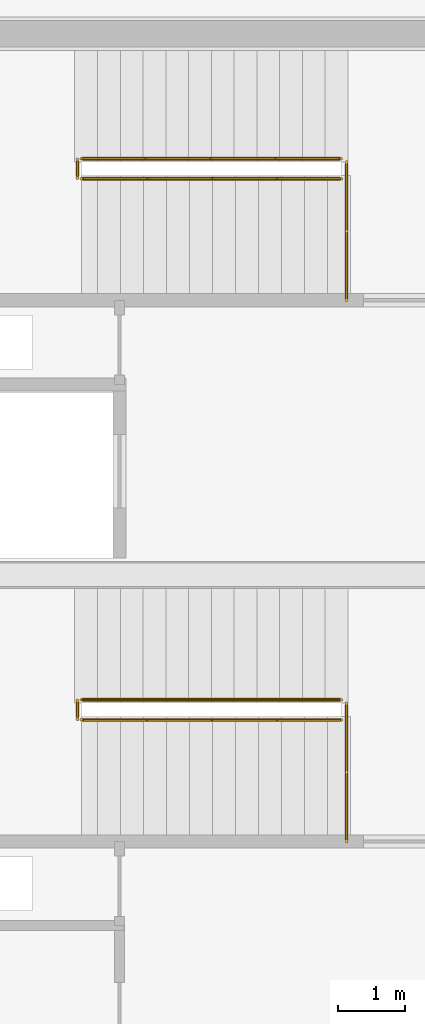
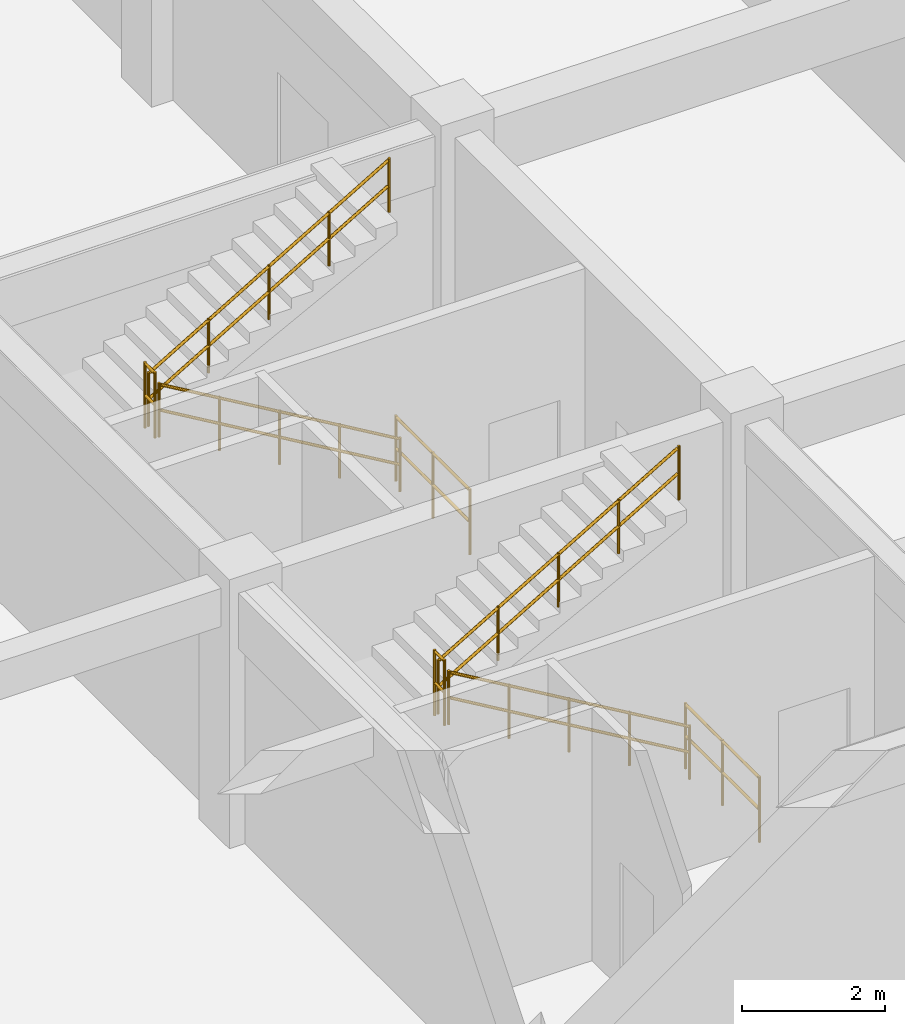
# One storey, part 91 of 93: 8 railings.
"""IFC4 building model written with IfcOpenShell, lengths in metres."""

import ifcopenshell
import ifcopenshell.guid

model = None  # the IFC model being written
_history = None  # IfcOwnerHistory: only IFC2X3 demands one
_inside = {}  # id of a spatial element -> (the spatial element, [elements in it])
_under = {}  # id of a project, library or spatial element -> (it, [spatial elements below it])
_declared = {}  # id of a project -> (the project, [libraries it declares])
_typed = {}  # id of a type object -> (the type object, [elements of that type])
_made_of = {}  # id of a material, layer set ... -> (it, [elements and type objects made of it])


def new_model(schema):
    """Start an empty IFC model of exactly this schema.

    Asked for "IFC4X3", IfcOpenShell would pick the latest addendum, in which some entities
    have other attributes; the version numbers below select the first issue.
    IFC2X3 requires an IfcOwnerHistory on every rooted entity: one is made here for all.
    """
    global model, _history
    if schema == "IFC4X3":
        model = ifcopenshell.file(schema_version=(4, 3, 0, 0))
    else:
        model = ifcopenshell.file(schema=schema)
    _inside.clear()
    _under.clear()
    _declared.clear()
    _typed.clear()
    _made_of.clear()
    _history = None
    if model.schema == "IFC2X3":
        org = make("IfcOrganization", Name="unknown")
        user = make(
            "IfcPersonAndOrganization",
            ThePerson=make("IfcPerson", FamilyName="unknown"),
            TheOrganization=org,
        )
        app = make(
            "IfcApplication",
            ApplicationDeveloper=org,
            Version="unknown",
            ApplicationFullName="unknown",
            ApplicationIdentifier="unknown",
        )
        _history = make(
            "IfcOwnerHistory",
            OwningUser=user,
            OwningApplication=app,
            ChangeAction="ADDED",
            CreationDate=0,
        )
    return model


def make(cls, **values):
    """One entity of the class cls with the attributes given. An attribute that is None is left unset."""
    return model.create_entity(
        cls, **{name: value for name, value in values.items() if value is not None}
    )


def rooted(cls, **values):
    """An entity with a GlobalId (a new one), such as an element, a storey or a relation."""
    return make(cls, GlobalId=ifcopenshell.guid.new(), OwnerHistory=_history, **values)


def si_unit(unit_type, name, prefix=None):
    """IfcSIUnit, for example si_unit("LENGTHUNIT", "METRE", prefix="MILLI")."""
    return make("IfcSIUnit", UnitType=unit_type, Prefix=prefix, Name=name)


def assignment(units):
    """IfcUnitAssignment: the units of a project."""
    return None if units is None else make("IfcUnitAssignment", Units=units)


def point(xyz):
    """IfcCartesianPoint."""
    return None if xyz is None else make("IfcCartesianPoint", Coordinates=xyz)


def direction(xyz):
    """IfcDirection."""
    return None if xyz is None else make("IfcDirection", DirectionRatios=xyz)


def frame(location, z_axis=None, x_axis=None):
    """IfcAxis2Placement3D, a coordinate frame: its origin and axes. An axis left out is left unset."""
    return make(
        "IfcAxis2Placement3D",
        Location=point(location),
        Axis=direction(z_axis),
        RefDirection=direction(x_axis),
    )


def frame_2d(location, x_axis=None):
    """IfcAxis2Placement2D, a coordinate frame in the plane: its origin and x axis."""
    return make(
        "IfcAxis2Placement2D", Location=point(location), RefDirection=direction(x_axis)
    )


def origin():
    """The frame at (0, 0, 0) with its axes left unset."""
    return frame((0.0, 0.0, 0.0))


def origin_2d():
    """The frame at (0, 0) in the plane with its x axis left unset."""
    return frame_2d((0.0, 0.0))


def place(relative_to, where):
    """IfcLocalPlacement: puts the frame where relative to a parent placement (None: the world)."""
    return make(
        "IfcLocalPlacement", PlacementRelTo=relative_to, RelativePlacement=where
    )


def context(
    kind, dimensions, precision=None, world=None, true_north=None, identifier=None
):
    """IfcGeometricRepresentationContext, for example the 3D "Model" context."""
    return make(
        "IfcGeometricRepresentationContext",
        ContextIdentifier=identifier,
        ContextType=kind,
        CoordinateSpaceDimension=dimensions,
        Precision=precision,
        WorldCoordinateSystem=world,
        TrueNorth=true_north,
    )


def subcontext(parent, identifier, kind, view, scale=None):
    """IfcGeometricRepresentationSubContext, for example "Body" below "Model"."""
    return make(
        "IfcGeometricRepresentationSubContext",
        ContextIdentifier=identifier,
        ContextType=kind,
        ParentContext=parent,
        TargetScale=scale,
        TargetView=view,
    )


def project(units=None, contexts=None):
    """IfcProject with its units and contexts."""
    return rooted(
        "IfcProject",
        Name="project",
        RepresentationContexts=contexts,
        UnitsInContext=assignment(units),
    )


def spatial(cls, under=None, at=None, **own):
    """A site, building, storey or space (cls), placed at a placement, below another one or the project."""
    s = rooted(cls, ObjectPlacement=at, **own)
    if under is not None:
        _under.setdefault(under.id(), (under, []))[1].append(s)
    return s


def profile(cls, at=None, kind="AREA", **sizes):
    """A parametric profile (cls). Its sizes go by their IFC names, for example OverallWidth=200.0."""
    return make(cls, ProfileType=kind, Position=at, **sizes)


def circle(**sizes):
    """IfcCircleProfileDef."""
    return profile("IfcCircleProfileDef", **sizes)


def extrude(swept, where, along, depth):
    """IfcExtrudedAreaSolid: the profile swept, set in the frame where, extruded along a direction by depth."""
    return make(
        "IfcExtrudedAreaSolid",
        SweptArea=swept,
        Position=where,
        ExtrudedDirection=direction(along),
        Depth=depth,
    )


def shape(context_of_items, identifier, shape_type, items):
    """IfcShapeRepresentation: the items that make up one representation, for example the "Body"."""
    return make(
        "IfcShapeRepresentation",
        ContextOfItems=context_of_items,
        RepresentationIdentifier=identifier,
        RepresentationType=shape_type,
        Items=items,
    )


def material(Name=None, Category=None):
    """IfcMaterial."""
    return make("IfcMaterial", Name=Name, Category=Category)


def made_of(thing, what):
    """Note that an element or type object is made of a material, layer set ...; save() writes the relation."""
    if what is not None:
        _made_of.setdefault(what.id(), (what, []))[1].append(thing)
    return thing


def type_object(cls, material=None, **own):
    """A type object (cls), such as IfcWallType, which elements share."""
    return made_of(rooted(cls, **own), material)


def element(
    cls,
    number,
    at=None,
    inside=None,
    cuts=None,
    type_object=None,
    material=None,
    context=None,
    identifier="Body",
    shape_type=None,
    held_by="IfcProductDefinitionShape",
    body=None,
    shapes=None,
    **own,
):
    """One element of the class cls, such as IfcWall. Its Tag is "e" and its number.

    at: its placement. inside: the storey or other place that contains it. cuts: it is an
    opening in that element (IfcRelVoidsElement). A single representation is given by context,
    identifier, shape_type and body (its items); several are given by shapes. held_by: the class
    of the entity that holds the representations. save() writes the other relations.
    """
    e = rooted(cls, Tag="e%d" % number, ObjectPlacement=at, **own)
    if body is not None:
        shapes = [shape(context, identifier, shape_type, body)]
    if shapes is not None:
        e.Representation = make(held_by, Representations=shapes)
    if inside is not None:
        _inside.setdefault(inside.id(), (inside, []))[1].append(e)
    if cuts is not None:
        rooted(
            "IfcRelVoidsElement", RelatingBuildingElement=cuts, RelatedOpeningElement=e
        )
    if type_object is not None:
        _typed.setdefault(type_object.id(), (type_object, []))[1].append(e)
    return made_of(e, material)


def aggregate(whole, parts):
    """IfcRelAggregates: a whole, such as a stair, and the parts it consists of."""
    return rooted("IfcRelAggregates", RelatingObject=whole, RelatedObjects=parts)


def save(model, path):
    """Write the relations noted so far, then the file.

    IfcRelAggregates (storeys below a building ...), IfcRelContainedInSpatialStructure (elements
    in a storey), IfcRelDefinesByType, IfcRelAssociatesMaterial and IfcRelDeclares: one each for
    every whole, place, type object, material and project.
    """
    for whole, parts in _under.values():
        aggregate(whole, parts)
    for where, things in _inside.values():
        rooted(
            "IfcRelContainedInSpatialStructure",
            RelatedElements=things,
            RelatingStructure=where,
        )
    for kind, things in _typed.values():
        rooted("IfcRelDefinesByType", RelatedObjects=things, RelatingType=kind)
    for what, things in _made_of.values():
        rooted("IfcRelAssociatesMaterial", RelatedObjects=things, RelatingMaterial=what)
    for by, libraries in _declared.values():
        rooted("IfcRelDeclares", RelatingContext=by, RelatedDefinitions=libraries)
    model.write(path)


model = new_model("IFC4")

# Units and contexts
model_context = context("Model", 3, precision=1e-05, world=origin(), true_north=direction((0.0, 1.0)))
body_context = subcontext(model_context, "Body", "Model", "MODEL_VIEW")
ifc_project = project(units=[si_unit("LENGTHUNIT", "METRE"), si_unit("AREAUNIT", "SQUARE_METRE"), si_unit("VOLUMEUNIT", "CUBIC_METRE"), si_unit("PLANEANGLEUNIT", "RADIAN"), si_unit("MASSUNIT", "GRAM", prefix="KILO")], contexts=[model_context])

# Site, building, storey
site_placement = place(None, origin())
site = spatial("IfcSite", under=ifc_project, at=site_placement, CompositionType="ELEMENT")
building_placement = place(site_placement, origin())
building = spatial("IfcBuilding", under=site, at=building_placement, Name="Vaudrelin Polytechnic", CompositionType="ELEMENT")
storey_placement = place(building_placement, frame((0.0, 0.0, 5.10009765625)))
storey = spatial("IfcBuildingStorey", under=building, at=storey_placement, Name="L01", CompositionType="ELEMENT", Elevation=5.10009765625)

# Railings
ifc_material = material(Name="Brushed stainless steel AISI 304", Category="steel")
railing_type_1 = type_object("IfcRailingType", Name="RAL-GR-INT", PredefinedType="GUARDRAIL", material=ifc_material)
railing_1_placement = place(storey_placement, frame((151.8798828125, 101.31005859375, 0.0)))
element("IfcRailing", 1, at=railing_1_placement, inside=storey, type_object=railing_type_1, Name="ST-06-L00 upper well guardrail", PredefinedType="GUARDRAIL", context=body_context, shape_type="SweptSolid", body=[
    extrude(circle(Radius=0.02392578125, at=origin_2d()), frame((0.0, 0.023193359375, 1.09619140625), z_axis=(0.0, 1.0, 0.0), x_axis=(-1.0, 0.0, 0.0)), (0.0, 0.0, 1.0), 2.023681640625),
    extrude(circle(Radius=0.02392578125, at=origin_2d()), frame((0.0, 0.023193359375, 0.56005859375), z_axis=(0.0, 1.0, 0.0), x_axis=(-1.0, 0.0, 0.0)), (0.0, 0.0, 1.0), 2.023681640625),
    extrude(circle(Radius=0.02099609375, at=origin_2d()), origin(), (0.0, 0.0, 1.0), 1.1201171875),
    extrude(circle(Radius=0.02099609375, at=origin_2d()), frame((0.0, 1.034912109375, 0.0)), (0.0, 0.0, 1.0), 1.1201171875),
    extrude(circle(Radius=0.02099609375, at=origin_2d()), frame((0.0, 2.06982421875, 0.0)), (0.0, 0.0, 1.0), 1.1201171875),
])
railing_2_placement = place(storey_placement, frame((147.85009765625, 103.139892578125, 2.294921875)))
element("IfcRailing", 2, at=railing_2_placement, inside=storey, type_object=railing_type_1, Name="ST-06-L01 landing well guardrail", PredefinedType="GUARDRAIL", context=body_context, shape_type="SweptSolid", body=[
    extrude(circle(Radius=0.02392578125, at=origin_2d()), frame((0.0, 0.023193359375, 1.09619140625), z_axis=(0.0, 1.0, 0.0), x_axis=(-1.0, 0.0, 0.0)), (0.0, 0.0, 1.0), 0.23388671875),
    extrude(circle(Radius=0.02392578125, at=origin_2d()), frame((0.0, 0.023193359375, 0.56005859375), z_axis=(0.0, 1.0, 0.0), x_axis=(-1.0, 0.0, 0.0)), (0.0, 0.0, 1.0), 0.23388671875),
    extrude(circle(Radius=0.02099609375, at=origin_2d()), origin(), (0.0, 0.0, 1.0), 1.1201171875),
    extrude(circle(Radius=0.02099609375, at=origin_2d()), frame((0.0, 0.280029296875, 0.0)), (0.0, 0.0, 1.0), 1.1201171875),
])
railing_3_placement = place(storey_placement, frame((151.8798828125, 93.2099609375, 0.0)))
element("IfcRailing", 3, at=railing_3_placement, inside=storey, type_object=railing_type_1, Name="ST-13-L00 upper well guardrail", PredefinedType="GUARDRAIL", context=body_context, shape_type="SweptSolid", body=[
    extrude(circle(Radius=0.02392578125, at=origin_2d()), frame((0.0, 0.023193359375, 1.09619140625), z_axis=(0.0, 1.0, 0.0), x_axis=(-1.0, 0.0, 0.0)), (0.0, 0.0, 1.0), 2.02392578125),
    extrude(circle(Radius=0.02392578125, at=origin_2d()), frame((0.0, 0.023193359375, 0.56005859375), z_axis=(0.0, 1.0, 0.0), x_axis=(-1.0, 0.0, 0.0)), (0.0, 0.0, 1.0), 2.02392578125),
    extrude(circle(Radius=0.02099609375, at=origin_2d()), origin(), (0.0, 0.0, 1.0), 1.1201171875),
    extrude(circle(Radius=0.02099609375, at=origin_2d()), frame((0.0, 1.03515625, 0.0)), (0.0, 0.0, 1.0), 1.1201171875),
    extrude(circle(Radius=0.02099609375, at=origin_2d()), frame((0.0, 2.070068359375, 0.0)), (0.0, 0.0, 1.0), 1.1201171875),
])
railing_4_placement = place(storey_placement, frame((147.85009765625, 95.0400390625, 2.294921875)))
element("IfcRailing", 4, at=railing_4_placement, inside=storey, type_object=railing_type_1, Name="ST-13-L01 landing well guardrail", PredefinedType="GUARDRAIL", context=body_context, shape_type="SweptSolid", body=[
    extrude(circle(Radius=0.02392578125, at=origin_2d()), frame((0.0, 0.023193359375, 1.09619140625), z_axis=(0.0, 1.0, 0.0), x_axis=(-1.0, 0.0, 0.0)), (0.0, 0.0, 1.0), 0.23388671875),
    extrude(circle(Radius=0.02392578125, at=origin_2d()), frame((0.0, 0.023193359375, 0.56005859375), z_axis=(0.0, 1.0, 0.0), x_axis=(-1.0, 0.0, 0.0)), (0.0, 0.0, 1.0), 0.23388671875),
    extrude(circle(Radius=0.02099609375, at=origin_2d()), origin(), (0.0, 0.0, 1.0), 1.1201171875),
    extrude(circle(Radius=0.02099609375, at=origin_2d()), frame((0.0, 0.280029296875, 0.0)), (0.0, 0.0, 1.0), 1.1201171875),
])
railing_type_2 = type_object("IfcRailingType", Name="RAL-HR-STR", PredefinedType="HANDRAIL", material=ifc_material)
railing_5_placement = place(storey_placement, frame((151.800048828125, 103.1298828125, 0.0)))
element("IfcRailing", 5, at=railing_5_placement, inside=storey, type_object=railing_type_2, Name="ST-06-L01 flight 1 handrail", PredefinedType="HANDRAIL", context=body_context, shape_type="SweptSolid", body=[
    extrude(circle(Radius=0.02392578125, at=origin_2d()), frame((-0.019775390625, 0.0, 0.90771484375), z_axis=(-0.861294332789, 0.0, 0.508106359245), x_axis=(0.0, -1.0, 0.0)), (0.0, 0.0, 1.0), 4.470458984375),
    extrude(circle(Radius=0.02392578125, at=origin_2d()), frame((-0.019775390625, 0.0, 0.4716796875), z_axis=(-0.861294332789, 0.0, 0.508106359245), x_axis=(0.0, -1.0, 0.0)), (0.0, 0.0, 1.0), 4.470458984375),
    extrude(circle(Radius=0.02099609375, at=origin_2d()), origin(), (0.0, 0.0, 1.0), 0.919921875),
    extrude(circle(Radius=0.02099609375, at=origin_2d()), frame((-0.97265625, 0.0, 0.57373046875)), (0.0, 0.0, 1.0), 0.919921875),
    extrude(circle(Radius=0.02099609375, at=origin_2d()), frame((-1.945068359375, 0.0, 1.1474609375)), (0.0, 0.0, 1.0), 0.919921875),
    extrude(circle(Radius=0.02099609375, at=origin_2d()), frame((-2.91748046875, 0.0, 1.72119140625)), (0.0, 0.0, 1.0), 0.919921875),
    extrude(circle(Radius=0.02099609375, at=origin_2d()), frame((-3.89013671875, 0.0, 2.294921875)), (0.0, 0.0, 1.0), 0.919921875),
])
railing_6_placement = place(storey_placement, frame((147.909912109375, 103.429931640625, 2.294921875)))
element("IfcRailing", 6, at=railing_6_placement, inside=storey, type_object=railing_type_2, Name="ST-06-L01 flight 2 handrail", PredefinedType="HANDRAIL", context=body_context, shape_type="SweptSolid", body=[
    extrude(circle(Radius=0.02392578125, at=origin_2d()), frame((0.019775390625, 0.0, 0.90771484375), z_axis=(0.861294332789, 0.0, 0.508106359245), x_axis=(0.0, 1.0, 0.0)), (0.0, 0.0, 1.0), 4.470458984375),
    extrude(circle(Radius=0.02392578125, at=origin_2d()), frame((0.019775390625, 0.0, 0.4716796875), z_axis=(0.861294332789, 0.0, 0.508106359245), x_axis=(0.0, 1.0, 0.0)), (0.0, 0.0, 1.0), 4.470458984375),
    extrude(circle(Radius=0.02099609375, at=origin_2d()), origin(), (0.0, 0.0, 1.0), 0.919921875),
    extrude(circle(Radius=0.02099609375, at=origin_2d()), frame((0.97265625, 0.0, 0.57373046875)), (0.0, 0.0, 1.0), 0.919921875),
    extrude(circle(Radius=0.02099609375, at=origin_2d()), frame((1.945068359375, 0.0, 1.1474609375)), (0.0, 0.0, 1.0), 0.919921875),
    extrude(circle(Radius=0.02099609375, at=origin_2d()), frame((2.91748046875, 0.0, 1.72119140625)), (0.0, 0.0, 1.0), 0.919921875),
    extrude(circle(Radius=0.02099609375, at=origin_2d()), frame((3.89013671875, 0.0, 2.294921875)), (0.0, 0.0, 1.0), 0.919921875),
])
railing_7_placement = place(storey_placement, frame((151.800048828125, 95.030029296875, 0.0)))
element("IfcRailing", 7, at=railing_7_placement, inside=storey, type_object=railing_type_2, Name="ST-13-L01 flight 1 handrail", PredefinedType="HANDRAIL", context=body_context, shape_type="SweptSolid", body=[
    extrude(circle(Radius=0.02392578125, at=origin_2d()), frame((-0.019775390625, 0.0, 0.90771484375), z_axis=(-0.861294332789, 0.0, 0.508106359245), x_axis=(0.0, -1.0, 0.0)), (0.0, 0.0, 1.0), 4.470458984375),
    extrude(circle(Radius=0.02392578125, at=origin_2d()), frame((-0.019775390625, 0.0, 0.4716796875), z_axis=(-0.861294332789, 0.0, 0.508106359245), x_axis=(0.0, -1.0, 0.0)), (0.0, 0.0, 1.0), 4.470458984375),
    extrude(circle(Radius=0.02099609375, at=origin_2d()), origin(), (0.0, 0.0, 1.0), 0.919921875),
    extrude(circle(Radius=0.02099609375, at=origin_2d()), frame((-0.97265625, 0.0, 0.57373046875)), (0.0, 0.0, 1.0), 0.919921875),
    extrude(circle(Radius=0.02099609375, at=origin_2d()), frame((-1.945068359375, 0.0, 1.1474609375)), (0.0, 0.0, 1.0), 0.919921875),
    extrude(circle(Radius=0.02099609375, at=origin_2d()), frame((-2.91748046875, 0.0, 1.72119140625)), (0.0, 0.0, 1.0), 0.919921875),
    extrude(circle(Radius=0.02099609375, at=origin_2d()), frame((-3.89013671875, 0.0, 2.294921875)), (0.0, 0.0, 1.0), 0.919921875),
])
railing_8_placement = place(storey_placement, frame((147.909912109375, 95.330078125, 2.294921875)))
element("IfcRailing", 8, at=railing_8_placement, inside=storey, type_object=railing_type_2, Name="ST-13-L01 flight 2 handrail", PredefinedType="HANDRAIL", context=body_context, shape_type="SweptSolid", body=[
    extrude(circle(Radius=0.02392578125, at=origin_2d()), frame((0.019775390625, 0.0, 0.90771484375), z_axis=(0.861294332789, 0.0, 0.508106359245), x_axis=(0.0, 1.0, 0.0)), (0.0, 0.0, 1.0), 4.470458984375),
    extrude(circle(Radius=0.02392578125, at=origin_2d()), frame((0.019775390625, 0.0, 0.4716796875), z_axis=(0.861294332789, 0.0, 0.508106359245), x_axis=(0.0, 1.0, 0.0)), (0.0, 0.0, 1.0), 4.470458984375),
    extrude(circle(Radius=0.02099609375, at=origin_2d()), origin(), (0.0, 0.0, 1.0), 0.919921875),
    extrude(circle(Radius=0.02099609375, at=origin_2d()), frame((0.97265625, 0.0, 0.57373046875)), (0.0, 0.0, 1.0), 0.919921875),
    extrude(circle(Radius=0.02099609375, at=origin_2d()), frame((1.945068359375, 0.0, 1.1474609375)), (0.0, 0.0, 1.0), 0.919921875),
    extrude(circle(Radius=0.02099609375, at=origin_2d()), frame((2.91748046875, 0.0, 1.72119140625)), (0.0, 0.0, 1.0), 0.919921875),
    extrude(circle(Radius=0.02099609375, at=origin_2d()), frame((3.89013671875, 0.0, 2.294921875)), (0.0, 0.0, 1.0), 0.919921875),
])

save(model, "model.ifc")
